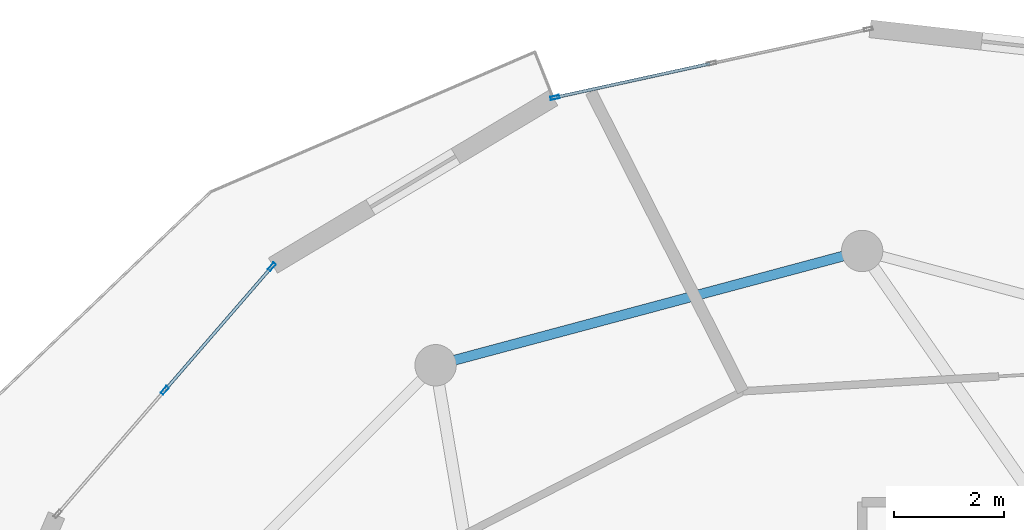
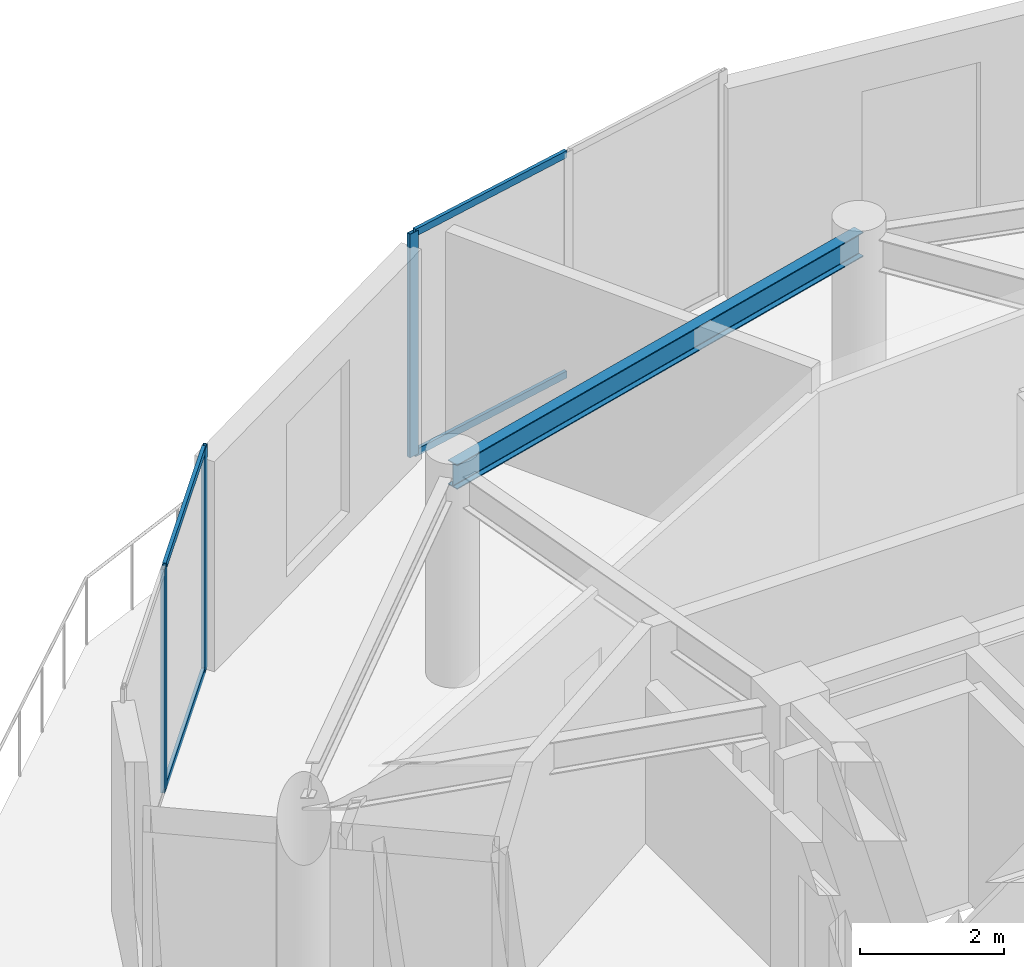
# One storey, part 8 of 15: 7 members, 1 beam, 2 elements without a shape of their own.
"""IFC4 building model written with IfcOpenShell, lengths in metres."""

from ifc_helpers import new_model, si_unit, direction, frame, origin, origin_2d, place, context, subcontext, project, spatial, hollow_rectangle, i_section, extrude, source, transform, mapped, material, layer, layer_set, material_profile, profile_set, type_object, element, aggregate, save


model = new_model("IFC4")

# Units and contexts
model_context = context("Model", 3, precision=1e-05, world=origin(), true_north=direction((0.0, 1.0)))
body_context = subcontext(model_context, "Body", "Model", "MODEL_VIEW")
ifc_project = project(units=[si_unit("LENGTHUNIT", "METRE"), si_unit("AREAUNIT", "SQUARE_METRE"), si_unit("VOLUMEUNIT", "CUBIC_METRE"), si_unit("PLANEANGLEUNIT", "RADIAN"), si_unit("MASSUNIT", "GRAM", prefix="KILO")], contexts=[model_context])

# Site, building, storey
site_placement = place(None, origin())
site = spatial("IfcSite", under=ifc_project, at=site_placement, CompositionType="ELEMENT")
building_placement = place(site_placement, origin())
building = spatial("IfcBuilding", under=site, at=building_placement, Name="Solvirekh Grand Hotel", CompositionType="ELEMENT")
storey_placement = place(building_placement, frame((0.0, 0.0, 270.60009765625)))
storey = spatial("IfcBuildingStorey", under=building, at=storey_placement, Name="L70", CompositionType="ELEMENT", Elevation=270.60009765625)

# Beam
ifc_material_1 = material(Name="Steel S355", Category="steel")
ifc_material_profile_1 = material_profile(ifc_material_1, i_section(OverallWidth=0.180908203125, OverallDepth=0.4169921875, WebThickness=0.010009765625, FlangeThickness=0.01611328125, FilletRadius=0.011962890625, at=origin_2d()), Name="W410X85")
ifc_profile_set_1 = profile_set([ifc_material_profile_1], Name="Steel S355")
beam_type = type_object("IfcBeamType", Name="Spandrel_Ring_W410", PredefinedType="SPANDREL", material=ifc_profile_set_1)
beam_placement = place(storey_placement, frame((0.0, 15.449951171875, 3.36181640625), z_axis=(-0.965921616143, -0.258834757072, 0.0), x_axis=(0.258834757072, -0.965921616143, 0.0)))
element("IfcBeam", 1, at=beam_placement, inside=storey, type_object=beam_type, Name="L70 perimeter spandrel beam 4", PredefinedType="SPANDREL", context=body_context, shape_type="SweptSolid", body=[
    extrude(i_section(OverallWidth=0.180908203125, OverallDepth=0.4169921875, WebThickness=0.010009765625, FlangeThickness=0.01611328125, FilletRadius=0.011962890625, at=origin_2d()), origin(), (0.0, 0.0, 1.0), 7.99755859375),
])

# Curtain wall, members
ifc_material_2 = material(Name="Anodized Bronze Aluminium 6063-T6", Category="aluminium")
ifc_layer = layer(ifc_material_2, 0.159912109375)
ifc_layer_set = layer_set([ifc_layer], Name="Anodized Bronze Aluminium 6063-T6")
curtain_wall_type = type_object("IfcCurtainWallType", Name="CW_Sys4_HighZoneFlushBronzeCW", PredefinedType="NOTDEFINED", material=ifc_layer_set)
curtain_wall_1_placement = place(storey_placement, origin())
curtain_wall_1 = element("IfcCurtainWall", 2, at=curtain_wall_1_placement, inside=storey, type_object=curtain_wall_type, Name="L70 unitised bronze-glass curtain wall CW-L70-C11", PredefinedType="NOTDEFINED")
ifc_material_profile_2 = material_profile(ifc_material_2, hollow_rectangle(XDim=0.054931640625, YDim=0.1201171875, WallThickness=0.00390625, at=origin_2d()), Name="ALU RHS 120X55X4")
ifc_profile_set_2 = profile_set([ifc_material_profile_2], Name="Anodized Bronze Aluminium 6063-T6")
member_type_1 = type_object("IfcMemberType", Name="CWTransom_Sys4", PredefinedType="USERDEFINED", material=ifc_profile_set_2)
shared_shape_1 = source(origin(), body_context, "Body", "SweptSolid", [
    extrude(hollow_rectangle(XDim=0.054931640625, YDim=0.1201171875, WallThickness=0.00390625, at=origin_2d()), origin(), (0.0, 0.0, 1.0), 2.845947265625),
])
member_1_placement = place(storey_placement, frame((-2.7548828125, 18.841552734375, 0.02734375), z_axis=(-0.977013487451, -0.213177497262, 0.0), x_axis=(0.213177497262, -0.977013487451, 0.0)))
member_1 = element("IfcMember", 3, at=member_1_placement, type_object=member_type_1, Name="U04 transom 2.1", ObjectType="TRANSOM", PredefinedType="USERDEFINED", context=body_context, shape_type="MappedRepresentation", body=[
    mapped(shared_shape_1, transform((0.0, 0.0, 0.0), x_axis=(1.0, 0.0, 0.0), y_axis=(0.0, 1.0, 0.0), z_axis=(0.0, 0.0, 1.0), scale=1.0)),
])
member_2_placement = place(storey_placement, frame((-2.7548828125, 18.841552734375, 3.7724609375), z_axis=(-0.977013487451, -0.213177497262, 0.0), x_axis=(0.213177497262, -0.977013487451, 0.0)))
member_2 = element("IfcMember", 4, at=member_2_placement, type_object=member_type_1, Name="U04 transom 2.2", ObjectType="TRANSOM", PredefinedType="USERDEFINED", context=body_context, shape_type="MappedRepresentation", body=[
    mapped(shared_shape_1, transform((0.0, 0.0, 0.0), x_axis=(1.0, 0.0, 0.0), y_axis=(0.0, 1.0, 0.0), z_axis=(0.0, 0.0, 1.0), scale=1.0)),
])

curtain_wall_2_placement = place(storey_placement, origin())
curtain_wall_2 = element("IfcCurtainWall", 5, at=curtain_wall_2_placement, inside=storey, type_object=curtain_wall_type, Name="L70 unitised bronze-glass curtain wall CW-L70-C13", PredefinedType="NOTDEFINED")
shared_shape_2 = source(origin(), body_context, "Body", "SweptSolid", [
    extrude(hollow_rectangle(XDim=0.054931640625, YDim=0.1201171875, WallThickness=0.00390625, at=origin_2d()), origin(), (0.0, 0.0, 1.0), 2.902587890625),
])
member_3_placement = place(storey_placement, frame((-10.710205078125, 15.140625, 0.02734375), z_axis=(-0.654972165953, -0.755653003585, 0.0), x_axis=(0.755653003585, -0.654972165953, 0.0)))
member_3 = element("IfcMember", 6, at=member_3_placement, type_object=member_type_1, Name="U04 transom 1.1", ObjectType="TRANSOM", PredefinedType="USERDEFINED", context=body_context, shape_type="MappedRepresentation", body=[
    mapped(shared_shape_2, transform((0.0, 0.0, 0.0), x_axis=(1.0, 0.0, 0.0), y_axis=(0.0, 1.0, 0.0), z_axis=(0.0, 0.0, 1.0), scale=1.0)),
])
member_4_placement = place(storey_placement, frame((-10.710205078125, 15.140625, 3.7724609375), z_axis=(-0.654972165953, -0.755653003585, 0.0), x_axis=(0.755653003585, -0.654972165953, 0.0)))
member_4 = element("IfcMember", 7, at=member_4_placement, type_object=member_type_1, Name="U04 transom 1.2", ObjectType="TRANSOM", PredefinedType="USERDEFINED", context=body_context, shape_type="MappedRepresentation", body=[
    mapped(shared_shape_2, transform((0.0, 0.0, 0.0), x_axis=(1.0, 0.0, 0.0), y_axis=(0.0, 1.0, 0.0), z_axis=(0.0, 0.0, 1.0), scale=1.0)),
])

# Member
ifc_material_profile_3 = material_profile(ifc_material_2, hollow_rectangle(XDim=0.06005859375, YDim=0.159912109375, WallThickness=0.0048828125, at=origin_2d()), Name="ALU RHS 160X60X5")
ifc_profile_set_3 = profile_set([ifc_material_profile_3], Name="Anodized Bronze Aluminium 6063-T6")
member_type_2 = type_object("IfcMemberType", Name="CWMullion_Sys4", PredefinedType="MULLION", material=ifc_profile_set_3)
shared_shape_3 = source(origin(), body_context, "Body", "SweptSolid", [
    extrude(hollow_rectangle(XDim=0.06005859375, YDim=0.159912109375, WallThickness=0.0048828125, at=origin_2d()), origin(), (0.0, 0.0, 1.0), 3.7998046875),
])
member_5_placement = place(storey_placement, frame((-5.564697265625, 18.228515625, 0.0), z_axis=(0.0, 0.0, 1.0), x_axis=(0.213214365324, -0.977005442369, 0.0)))
member_5 = element("IfcMember", 8, at=member_5_placement, type_object=member_type_2, Name="U04 mullion 3", PredefinedType="MULLION", context=body_context, shape_type="MappedRepresentation", body=[
    mapped(shared_shape_3, transform((0.0, 0.0, 0.0), x_axis=(1.0, 0.0, 0.0), y_axis=(0.0, 1.0, 0.0), z_axis=(0.0, 0.0, 1.0), scale=1.0)),
])

aggregate(curtain_wall_1, [member_5, member_1, member_2])

member_6_placement = place(storey_placement, frame((-10.690673828125, 15.163330078125, 0.0), z_axis=(0.0, 0.0, 1.0), x_axis=(0.755683570117, -0.65493689914, 0.0)))
member_6 = element("IfcMember", 9, at=member_6_placement, type_object=member_type_2, Name="U04 mullion 1", PredefinedType="MULLION", context=body_context, shape_type="MappedRepresentation", body=[
    mapped(shared_shape_3, transform((0.0, 0.0, 0.0), x_axis=(1.0, 0.0, 0.0), y_axis=(0.0, 1.0, 0.0), z_axis=(0.0, 0.0, 1.0), scale=1.0)),
])

member_7_placement = place(storey_placement, frame((-12.631103515625, 12.924560546875, 0.0), z_axis=(0.0, 0.0, 1.0), x_axis=(0.755683570117, -0.65493689914, 0.0)))
member_7 = element("IfcMember", 10, at=member_7_placement, type_object=member_type_2, Name="U04 mullion 2", PredefinedType="MULLION", context=body_context, shape_type="MappedRepresentation", body=[
    mapped(shared_shape_3, transform((0.0, 0.0, 0.0), x_axis=(1.0, 0.0, 0.0), y_axis=(0.0, 1.0, 0.0), z_axis=(0.0, 0.0, 1.0), scale=1.0)),
])

aggregate(curtain_wall_2, [member_6, member_7, member_3, member_4])

save(model, "model.ifc")
